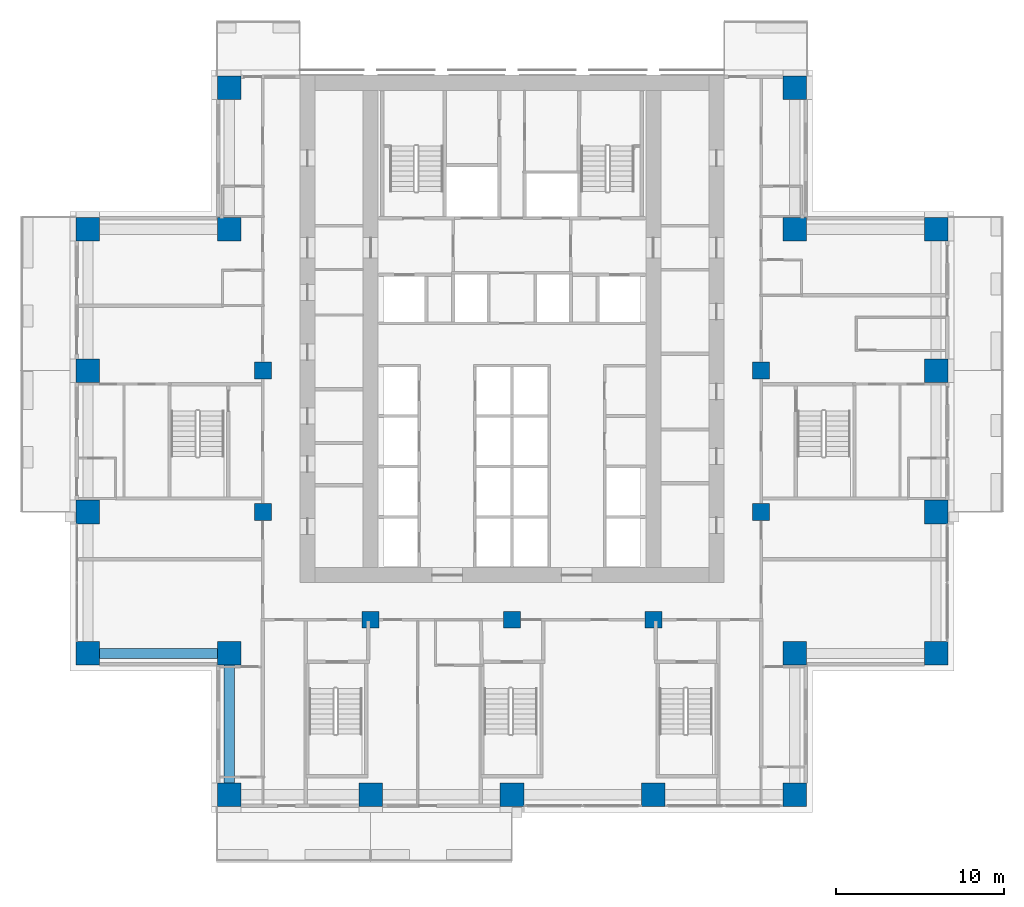
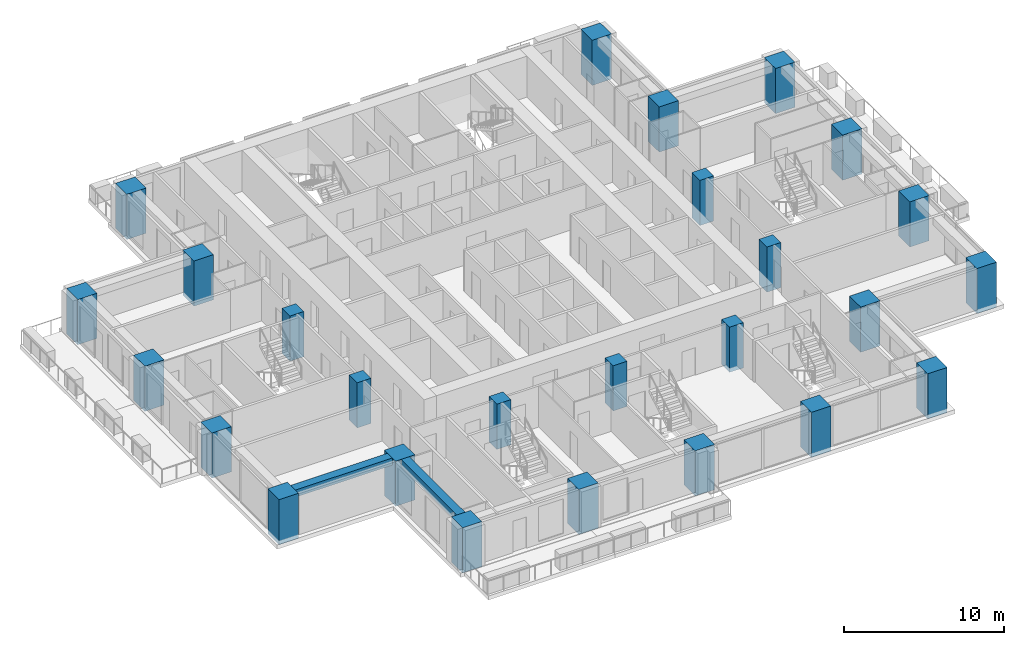
# One storey, part 1 of 17: 26 columns, 2 beams.
"""IFC4 building model written with IfcOpenShell, lengths in metres."""

from ifc_helpers import new_model, si_unit, direction, frame, origin, origin_2d, place, context, subcontext, project, spatial, rectangle, extrude, material, material_profile, profile_set, type_object, element, save


model = new_model("IFC4")

# Units and contexts
model_context = context("Model", 3, precision=1e-05, world=origin(), true_north=direction((0.0, 1.0)))
body_context = subcontext(model_context, "Body", "Model", "MODEL_VIEW")
ifc_project = project(units=[si_unit("LENGTHUNIT", "METRE"), si_unit("AREAUNIT", "SQUARE_METRE"), si_unit("VOLUMEUNIT", "CUBIC_METRE"), si_unit("PLANEANGLEUNIT", "RADIAN"), si_unit("MASSUNIT", "GRAM", prefix="KILO")], contexts=[model_context])

# Site, building, storey
site_placement = place(None, origin())
site = spatial("IfcSite", under=ifc_project, at=site_placement, CompositionType="ELEMENT")
building_placement = place(site_placement, origin())
building = spatial("IfcBuilding", under=site, at=building_placement, Name="Vermilion Ogive Tower", CompositionType="ELEMENT")
storey_placement = place(building_placement, frame((0.0, 0.0, 58.64990234375)))
storey = spatial("IfcBuildingStorey", under=building, at=storey_placement, Name="L13", CompositionType="ELEMENT", Elevation=58.64990234375)

# Columns
ifc_material_1 = material(Name="Concrete B80", Category="concrete")
ifc_material_profile_1 = material_profile(ifc_material_1, rectangle(XDim=1.39990234375, YDim=1.39990234375, at=origin_2d()), Name="1400 x 1400")
ifc_profile_set_1 = profile_set([ifc_material_profile_1], Name="Concrete B80")
column_type_1 = type_object("IfcColumnType", Name="Perimeter column 1400 x 1400 B80", PredefinedType="COLUMN", material=ifc_profile_set_1)
for number, where, z_axis, x_axis, name in (
    (1, (-16.800048828125, -21.0, -0.31982421875), (0.0, 0.0, 1.0), (1.0, 0.0, 0.0), "COL-L13-P-0168-210"),
    (2, (-8.39990234375, -21.0, -0.31982421875), (0.0, 0.0, 1.0), (1.0, 0.0, 0.0), "COL-L13-P-0084-210"),
    (3, (0.0, -21.0, -0.31982421875), (0.0, 0.0, 1.0), (1.0, 0.0, 0.0), "COL-L13-P+0000-210"),
    (4, (8.39990234375, -21.0, -0.31982421875), (0.0, 0.0, 1.0), (1.0, 0.0, 0.0), "COL-L13-P+0084-210"),
    (5, (16.800048828125, -21.0, -0.31982421875), (0.0, 0.0, 1.0), (1.0, 0.0, 0.0), "COL-L13-P+0168-210"),
    (6, (-25.199951171875, -12.60009765625, -0.31982421875), (0.0, 0.0, 1.0), (1.0, 0.0, 0.0), "COL-L13-P-0252-126"),
    (7, (-16.800048828125, -12.60009765625, -0.31982421875), (0.0, 0.0, 1.0), (1.0, 0.0, 0.0), "COL-L13-P-0168-126"),
    (8, (16.800048828125, -12.60009765625, -0.31982421875), (0.0, 0.0, 1.0), (1.0, 0.0, 0.0), "COL-L13-P+0168-126"),
    (9, (25.199951171875, -12.60009765625, -0.31982421875), (0.0, 0.0, 1.0), (1.0, 0.0, 0.0), "COL-L13-P+0252-126"),
    (10, (-25.199951171875, -4.199951171875, -0.31982421875), (0.0, 0.0, 1.0), (1.0, 0.0, 0.0), "COL-L13-P-0252-042"),
    (11, (25.199951171875, -4.199951171875, -0.31982421875), (0.0, 0.0, 1.0), (1.0, 0.0, 0.0), "COL-L13-P+0252-042"),
    (12, (-25.199951171875, 4.199951171875, -0.31982421875), (0.0, 0.0, 1.0), (1.0, 0.0, 0.0), "COL-L13-P-0252+042"),
    (13, (25.199951171875, 4.199951171875, -0.31982421875), (0.0, 0.0, 1.0), (1.0, 0.0, 0.0), "COL-L13-P+0252+042"),
    (14, (-25.199951171875, 12.60009765625, -0.31982421875), (0.0, 0.0, 1.0), (1.0, 0.0, 0.0), "COL-L13-P-0252+126"),
    (15, (-16.800048828125, 12.60009765625, -0.31982421875), (0.0, 0.0, 1.0), (1.0, 0.0, 0.0), "COL-L13-P-0168+126"),
    (16, (16.800048828125, 12.60009765625, -0.31982421875), (0.0, 0.0, 1.0), (1.0, 0.0, 0.0), "COL-L13-P+0168+126"),
    (17, (25.199951171875, 12.60009765625, -0.31982421875), (0.0, 0.0, 1.0), (1.0, 0.0, 0.0), "COL-L13-P+0252+126"),
    (18, (-16.800048828125, 21.0, -0.31982421875), (0.0, 0.0, 1.0), (1.0, 0.0, 0.0), "COL-L13-P-0168+210"),
    (19, (16.800048828125, 21.0, -0.31982421875), (0.0, 0.0, 1.0), (1.0, 0.0, 0.0), "COL-L13-P+0168+210"),
):
    element("IfcColumn", number, at=place(storey_placement, frame(where, z_axis=z_axis, x_axis=x_axis)), inside=storey, type_object=column_type_1, Name=name, PredefinedType="COLUMN", context=body_context, shape_type="SweptSolid", body=[
        extrude(rectangle(XDim=1.39990234375, YDim=1.39990234375, at=origin_2d()), origin(), (0.0, 0.0, 1.0), 3.449951171875),
    ])
ifc_material_2 = material(Name="Concrete B80", Category="concrete")
ifc_material_profile_2 = material_profile(ifc_material_2, rectangle(XDim=1.0, YDim=1.0, at=origin_2d()), Name="1000 x 1000")
ifc_profile_set_2 = profile_set([ifc_material_profile_2], Name="Concrete B80")
column_type_2 = type_object("IfcColumnType", Name="Ring column 1000 x 1000 B80", PredefinedType="COLUMN", material=ifc_profile_set_2)
for number, where, z_axis, x_axis, name in (
    (20, (-8.39990234375, -10.60009765625, -0.31982421875), (0.0, 0.0, 1.0), (1.0, 0.0, 0.0), "COL-L13-R-0084-106"),
    (21, (0.0, -10.60009765625, -0.31982421875), (0.0, 0.0, 1.0), (1.0, 0.0, 0.0), "COL-L13-R+0000-106"),
    (22, (8.39990234375, -10.60009765625, -0.31982421875), (0.0, 0.0, 1.0), (1.0, 0.0, 0.0), "COL-L13-R+0084-106"),
    (23, (-14.800048828125, -4.199951171875, -0.31982421875), (0.0, 0.0, 1.0), (1.0, 0.0, 0.0), "COL-L13-R-0148-042"),
    (24, (14.800048828125, -4.199951171875, -0.31982421875), (0.0, 0.0, 1.0), (1.0, 0.0, 0.0), "COL-L13-R+0148-042"),
    (25, (-14.800048828125, 4.199951171875, -0.31982421875), (0.0, 0.0, 1.0), (1.0, 0.0, 0.0), "COL-L13-R-0148+042"),
    (26, (14.800048828125, 4.199951171875, -0.31982421875), (0.0, 0.0, 1.0), (1.0, 0.0, 0.0), "COL-L13-R+0148+042"),
):
    element("IfcColumn", number, at=place(storey_placement, frame(where, z_axis=z_axis, x_axis=x_axis)), inside=storey, type_object=column_type_2, Name=name, PredefinedType="COLUMN", context=body_context, shape_type="SweptSolid", body=[
        extrude(rectangle(XDim=1.0, YDim=1.0, at=origin_2d()), origin(), (0.0, 0.0, 1.0), 3.449951171875),
    ])

# Beams
ifc_material_3 = material(Name="Concrete B45", Category="concrete")
ifc_material_profile_3 = material_profile(ifc_material_3, rectangle(XDim=0.60009765625, YDim=0.550048828125, at=origin_2d()), Name="600 x 550")
ifc_profile_set_3 = profile_set([ifc_material_profile_3], Name="Concrete B45")
beam_type = type_object("IfcBeamType", Name="Edge beam 600 x 550 B45", PredefinedType="BEAM", material=ifc_profile_set_3)
for number, where, z_axis, x_axis, name in (
    (27, (-24.5, -12.60009765625, 2.85498046875), (1.0, 0.0, 0.0), (0.0, 1.0, 0.0), "L13-EB-17"),
    (28, (-16.800048828125, -13.300048828125, 2.85498046875), (0.0, -1.0, 0.0), (1.0, 0.0, 0.0), "L13-EB-18"),
):
    element("IfcBeam", number, at=place(storey_placement, frame(where, z_axis=z_axis, x_axis=x_axis)), inside=storey, type_object=beam_type, Name=name, PredefinedType="BEAM", context=body_context, shape_type="SweptSolid", body=[
        extrude(rectangle(XDim=0.60009765625, YDim=0.550048828125, at=origin_2d()), origin(), (0.0, 0.0, 1.0), 7.0),
    ])

save(model, "model.ifc")
